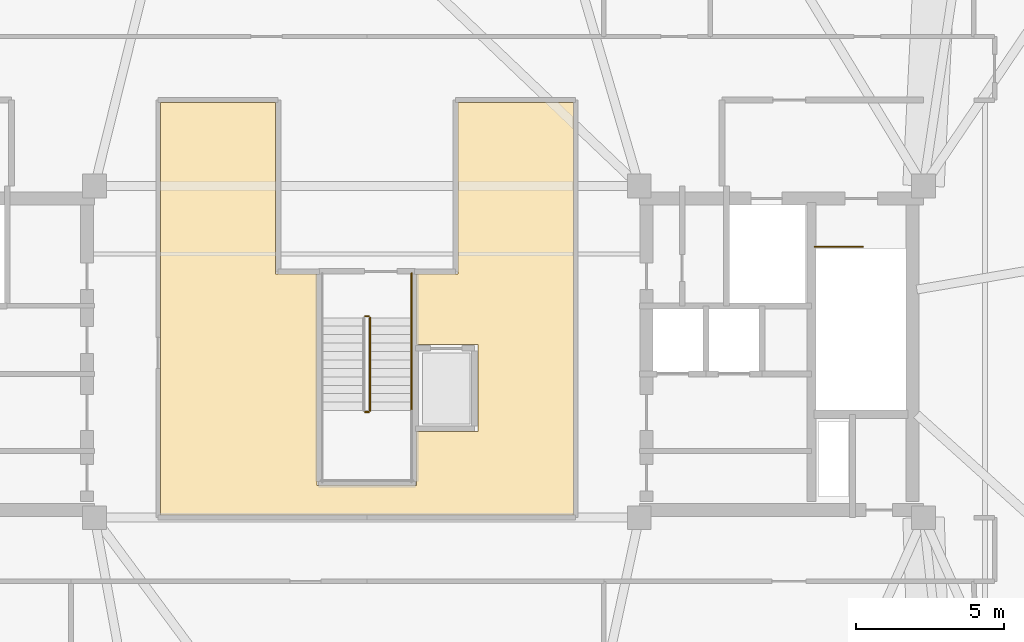
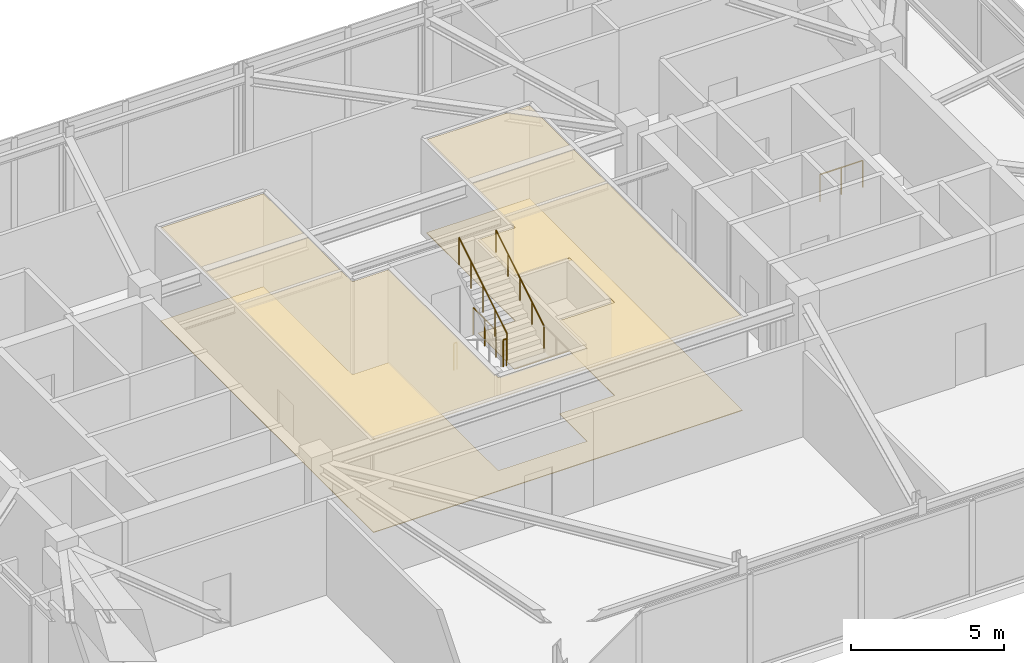
# One storey, part 26 of 27: 6 railings, 2 coverings.
"""IFC4 building model written with IfcOpenShell, lengths in metres."""

from ifc_helpers import new_model, si_unit, direction, frame, origin, origin_2d, place, context, subcontext, project, spatial, polyline, circle, outline, extrude, material, layer, layer_set, type_object, element, save


model = new_model("IFC4")

# Units and contexts
model_context = context("Model", 3, precision=1e-05, world=origin(), true_north=direction((0.0, 1.0)))
body_context = subcontext(model_context, "Body", "Model", "MODEL_VIEW")
ifc_project = project(units=[si_unit("LENGTHUNIT", "METRE"), si_unit("AREAUNIT", "SQUARE_METRE"), si_unit("VOLUMEUNIT", "CUBIC_METRE"), si_unit("PLANEANGLEUNIT", "RADIAN"), si_unit("MASSUNIT", "GRAM", prefix="KILO")], contexts=[model_context])

# Site, building, storey
site_placement = place(None, origin())
site = spatial("IfcSite", under=ifc_project, at=site_placement, CompositionType="ELEMENT")
building_placement = place(site_placement, origin())
building = spatial("IfcBuilding", under=site, at=building_placement, Name="Qobustan Lattice House", CompositionType="ELEMENT")
storey_placement = place(building_placement, frame((0.0, 0.0, 266.0)))
storey = spatial("IfcBuildingStorey", under=building, at=storey_placement, Name="L75", CompositionType="ELEMENT", Elevation=266.0)

# Coverings
ifc_material_1 = material(Name="Perforated gypsum acoustic ceiling", Category="gypsum")
ifc_layer_1 = layer(ifc_material_1, 0.030029296875)
ifc_layer_set_1 = layer_set([ifc_layer_1], Name="Perforated gypsum acoustic ceiling")
covering_type_1 = type_object("IfcCoveringType", Name="COV-ACOUSTIC-CEIL", PredefinedType="CEILING", material=ifc_layer_set_1)
covering_1_placement = place(storey_placement, frame((0.0, 0.0, 3.7099609375)))
element("IfcCovering", 1, at=covering_1_placement, inside=storey, type_object=covering_type_1, Name="L75 Absheron observatory exhibition salon acoustic ceiling", PredefinedType="CEILING", context=body_context, shape_type="SweptSolid", body=[
    extrude(outline(polyline([(6.969970703125, -5.52001953125), (6.969970703125, 8.419921875), (3.080078125, 8.419921875), (3.080078125, 2.6201171875), (1.679931640625, 2.6201171875), (1.679931640625, 0.239990234375), (3.760009765625, 0.239990234375), (3.760009765625, -2.699951171875), (1.679931640625, -2.699951171875), (1.679931640625, -4.510009765625), (-1.679931640625, -4.510009765625), (-1.679931640625, 2.6201171875), (-3.080078125, 2.6201171875), (-3.080078125, 8.419921875), (-6.969970703125, 8.419921875), (-6.969970703125, -5.52001953125), (6.969970703125, -5.52001953125)])), origin(), (0.0, 0.0, 1.0), 0.030029296875),
])
ifc_material_2 = material(Name="Honed Absheron stone terrazzo flooring", Category="masonry")
ifc_layer_2 = layer(ifc_material_2, 0.02490234375)
ifc_layer_set_2 = layer_set([ifc_layer_2], Name="Honed Absheron stone terrazzo flooring")
covering_type_2 = type_object("IfcCoveringType", Name="COV-TERRAZZO-FLR", PredefinedType="FLOORING", material=ifc_layer_set_2)
covering_2_placement = place(storey_placement, origin())
element("IfcCovering", 2, at=covering_2_placement, inside=storey, type_object=covering_type_2, Name="L75 Absheron observatory exhibition salon stone terrazzo flooring", PredefinedType="FLOORING", context=body_context, shape_type="SweptSolid", body=[
    extrude(outline(polyline([(6.969970703125, -5.52001953125), (6.969970703125, 8.419921875), (3.080078125, 8.419921875), (3.080078125, 2.6201171875), (1.679931640625, 2.6201171875), (1.679931640625, 0.239990234375), (3.760009765625, 0.239990234375), (3.760009765625, -2.699951171875), (1.679931640625, -2.699951171875), (1.679931640625, -4.510009765625), (-1.679931640625, -4.510009765625), (-1.679931640625, 2.6201171875), (-3.080078125, 2.6201171875), (-3.080078125, 8.419921875), (-6.969970703125, 8.419921875), (-6.969970703125, -5.52001953125), (6.969970703125, -5.52001953125)])), origin(), (0.0, 0.0, 1.0), 0.02490234375),
])

# Railings
ifc_material_3 = material(Name="Brushed stainless steel handrail", Category="steel")
railing_type_1 = type_object("IfcRailingType", Name="RAL-HR-920", PredefinedType="HANDRAIL", material=ifc_material_3)
railing_1_placement = place(storey_placement, frame((1.510009765625, -1.985107421875, 2.27490234375)))
element("IfcRailing", 3, at=railing_1_placement, inside=storey, type_object=railing_type_1, Name="L75 ST-C1 stair handrail 2", PredefinedType="HANDRAIL", context=body_context, shape_type="SweptSolid", body=[
    extrude(circle(Radius=0.02392578125, at=origin_2d()), frame((0.0, 0.0, 0.8759765625), z_axis=(0.0, 0.852166034122, 0.523271488128), x_axis=(-1.0, 0.0, 0.0)), (0.0, 0.0, 1.0), 3.678955078125),
    extrude(circle(Radius=0.02099609375, at=origin_2d()), origin(), (0.0, 0.0, 1.0), 0.851806640625),
    extrude(circle(Radius=0.02099609375, at=origin_2d()), frame((0.0, 0.78369140625, 0.481201171875)), (0.0, 0.0, 1.0), 0.851806640625),
    extrude(circle(Radius=0.02099609375, at=origin_2d()), frame((0.0, 1.5673828125, 0.96240234375)), (0.0, 0.0, 1.0), 0.851806640625),
    extrude(circle(Radius=0.02099609375, at=origin_2d()), frame((0.0, 2.351318359375, 1.44384765625)), (0.0, 0.0, 1.0), 0.851806640625),
    extrude(circle(Radius=0.02099609375, at=origin_2d()), frame((0.0, 3.135009765625, 1.925048828125)), (0.0, 0.0, 1.0), 0.851806640625),
])
ifc_material_4 = material(Name="Painted galvanized steel guardrail", Category="steel")
railing_type_2 = type_object("IfcRailingType", Name="RAL-STG-1150", PredefinedType="GUARDRAIL", material=ifc_material_4)
railing_2_placement = place(storey_placement, frame((15.1298828125, 3.550048828125, 0.0)))
element("IfcRailing", 4, at=railing_2_placement, inside=storey, type_object=railing_type_2, Name="L75 ST-E1 top well guard 1", PredefinedType="GUARDRAIL", context=body_context, shape_type="SweptSolid", body=[
    extrude(circle(Radius=0.02392578125, at=origin_2d()), frame((0.0, 0.0, 1.076171875), z_axis=(1.0, 0.0, 0.0), x_axis=(0.0, 1.0, 0.0)), (0.0, 0.0, 1.0), 1.6201171875),
    extrude(circle(Radius=0.02099609375, at=origin_2d()), origin(), (0.0, 0.0, 1.0), 1.052001953125),
    extrude(circle(Radius=0.02099609375, at=origin_2d()), frame((0.81005859375, 0.0, 0.0)), (0.0, 0.0, 1.0), 1.052001953125),
    extrude(circle(Radius=0.02099609375, at=origin_2d()), frame((1.6201171875, 0.0, 0.0)), (0.0, 0.0, 1.0), 1.052001953125),
])
railing_3_placement = place(storey_placement, frame((-0.06005859375, -2.034912109375, 2.10009765625)))
element("IfcRailing", 5, at=railing_3_placement, inside=storey, type_object=railing_type_2, Name="L75 ST-C1 stair guard 2", PredefinedType="GUARDRAIL", context=body_context, shape_type="SweptSolid", body=[
    extrude(circle(Radius=0.02392578125, at=origin_2d()), frame((0.0, 0.0, 1.076171875), z_axis=(1.0, 0.0, 0.0), x_axis=(0.0, 1.0, 0.0)), (0.0, 0.0, 1.0), 0.1201171875),
    extrude(circle(Radius=0.02099609375, at=origin_2d()), origin(), (0.0, 0.0, 1.0), 1.052001953125),
    extrude(circle(Radius=0.02099609375, at=origin_2d()), frame((0.1201171875, 0.0, 0.0)), (0.0, 0.0, 1.0), 1.052001953125),
])
railing_4_placement = place(storey_placement, frame((0.110107421875, -1.985107421875, 2.27490234375)))
element("IfcRailing", 6, at=railing_4_placement, inside=storey, type_object=railing_type_2, Name="L75 ST-C1 stair guard 6", PredefinedType="GUARDRAIL", context=body_context, shape_type="SweptSolid", body=[
    extrude(circle(Radius=0.02392578125, at=origin_2d()), frame((0.0, 0.0, 1.076171875), z_axis=(0.0, 0.852166034122, 0.523271488128), x_axis=(-1.0, 0.0, 0.0)), (0.0, 0.0, 1.0), 3.678955078125),
    extrude(circle(Radius=0.02099609375, at=origin_2d()), origin(), (0.0, 0.0, 1.0), 1.052001953125),
    extrude(circle(Radius=0.02099609375, at=origin_2d()), frame((0.0, 0.78369140625, 0.481201171875)), (0.0, 0.0, 1.0), 1.052001953125),
    extrude(circle(Radius=0.02099609375, at=origin_2d()), frame((0.0, 1.5673828125, 0.96240234375)), (0.0, 0.0, 1.0), 1.052001953125),
    extrude(circle(Radius=0.02099609375, at=origin_2d()), frame((0.0, 2.351318359375, 1.44384765625)), (0.0, 0.0, 1.0), 1.052001953125),
    extrude(circle(Radius=0.02099609375, at=origin_2d()), frame((0.0, 3.135009765625, 1.925048828125)), (0.0, 0.0, 1.0), 1.052001953125),
])
railing_5_placement = place(storey_placement, frame((-0.06005859375, 1.199951171875, 0.0)))
element("IfcRailing", 7, at=railing_5_placement, inside=storey, type_object=railing_type_2, Name="L75 ST-C1 stair guard 7", PredefinedType="GUARDRAIL", context=body_context, shape_type="SweptSolid", body=[
    extrude(circle(Radius=0.02392578125, at=origin_2d()), frame((0.0, 0.0, 1.076171875), z_axis=(1.0, 0.0, 0.0), x_axis=(0.0, 1.0, 0.0)), (0.0, 0.0, 1.0), 0.1201171875),
    extrude(circle(Radius=0.02099609375, at=origin_2d()), origin(), (0.0, 0.0, 1.0), 1.052001953125),
    extrude(circle(Radius=0.02099609375, at=origin_2d()), frame((0.1201171875, 0.0, 0.0)), (0.0, 0.0, 1.0), 1.052001953125),
])
railing_6_placement = place(storey_placement, frame((1.510009765625, 2.64990234375, 0.0)))
element("IfcRailing", 8, at=railing_6_placement, inside=storey, type_object=railing_type_2, Name="L75 ST-C1 stair guard 9", PredefinedType="GUARDRAIL", context=body_context, shape_type="SweptSolid", body=[
    extrude(circle(Radius=0.02392578125, at=origin_2d()), frame((0.0, 0.0, 1.076171875), z_axis=(0.0, -1.0, 0.0), x_axis=(1.0, 0.0, 0.0)), (0.0, 0.0, 1.0), 1.5),
    extrude(circle(Radius=0.02099609375, at=origin_2d()), origin(), (0.0, 0.0, 1.0), 1.052001953125),
    extrude(circle(Radius=0.02099609375, at=origin_2d()), frame((0.0, -0.75, 0.0)), (0.0, 0.0, 1.0), 1.052001953125),
    extrude(circle(Radius=0.02099609375, at=origin_2d()), frame((0.0, -1.5, 0.0)), (0.0, 0.0, 1.0), 1.052001953125),
])

save(model, "model.ifc")
